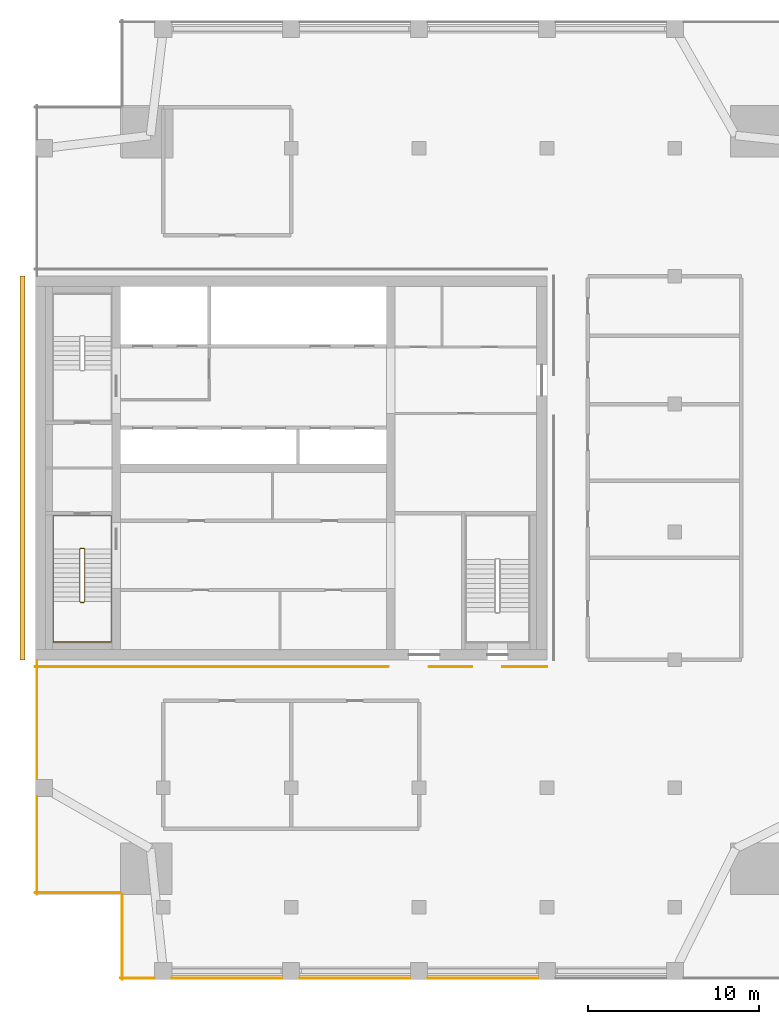
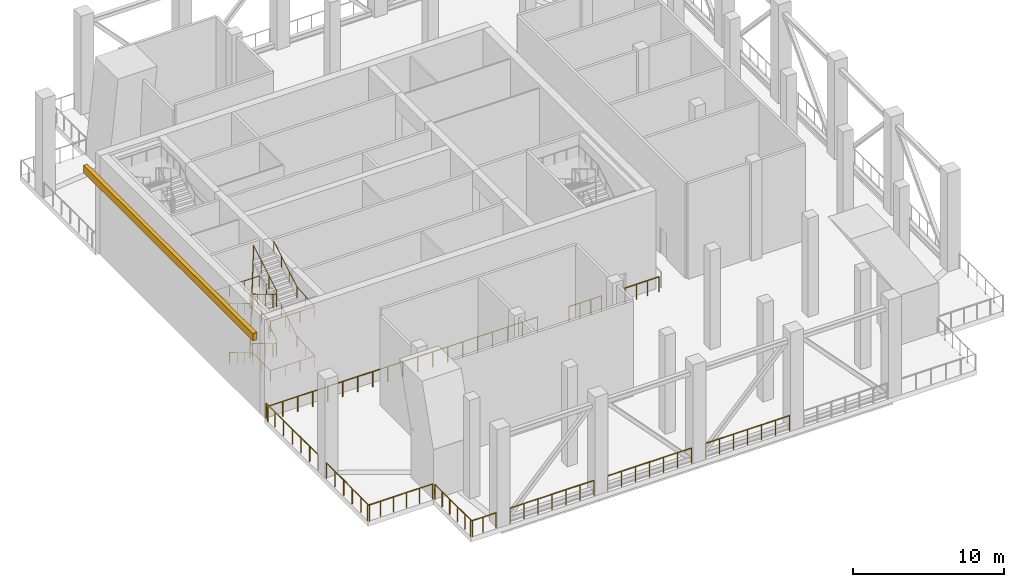
# One storey, part 8 of 11: 13 railings, 1 covering.
"""IFC4 building model written with IfcOpenShell, lengths in metres."""

from ifc_helpers import new_model, si_unit, direction, frame, origin, origin_2d, place, context, subcontext, project, spatial, polyline, circle, outline, extrude, material, layer, layer_set, type_object, element, save


model = new_model("IFC4")

# Units and contexts
model_context = context("Model", 3, precision=1e-05, world=origin(), true_north=direction((0.0, 1.0)))
body_context = subcontext(model_context, "Body", "Model", "MODEL_VIEW")
ifc_project = project(units=[si_unit("LENGTHUNIT", "METRE"), si_unit("AREAUNIT", "SQUARE_METRE"), si_unit("VOLUMEUNIT", "CUBIC_METRE"), si_unit("PLANEANGLEUNIT", "RADIAN"), si_unit("MASSUNIT", "GRAM", prefix="KILO")], contexts=[model_context])

# Site, building, storey
site_placement = place(None, origin())
site = spatial("IfcSite", under=ifc_project, at=site_placement, CompositionType="ELEMENT")
building_placement = place(site_placement, origin())
building = spatial("IfcBuilding", under=site, at=building_placement, Name="Tamorin Gate", CompositionType="ELEMENT")
storey_placement = place(building_placement, frame((0.0, 0.0, 258.199951171875)))
storey = spatial("IfcBuildingStorey", under=building, at=storey_placement, Name="L65", CompositionType="ELEMENT", Elevation=258.199951171875)

# Covering
ifc_material_1 = material(Name="Precast concrete C40/50", Category="concrete")
ifc_layer = layer(ifc_material_1, 0.300048828125)
ifc_layer_set = layer_set([ifc_layer], Name="Spine cornice 300")
covering_type = type_object("IfcCoveringType", Name="Spine cornice 300", PredefinedType="CLADDING", material=ifc_layer_set)
covering_placement = place(storey_placement, frame((0.0, 0.0, 6.60009765625)))
element("IfcCovering", 1, at=covering_placement, inside=storey, type_object=covering_type, Name="Spine cornice", PredefinedType="CLADDING", context=body_context, shape_type="SweptSolid", body=[
    extrude(outline(polyline([(29.10009765625, 60.0), (29.39990234375, 60.0), (29.39990234375, 82.5), (29.10009765625, 82.5), (29.10009765625, 60.0)])), origin(), (0.0, 0.0, 1.0), 0.599853515625),
])

# Railings
ifc_material_2 = material(Name="Painted steel balustrade", Category="steel")
railing_type_1 = type_object("IfcRailingType", Name="Stair guard 1100", PredefinedType="GUARDRAIL", material=ifc_material_2)
railing_1_placement = place(storey_placement, frame((32.60009765625, 66.5, 0.166748046875)))
element("IfcRailing", 2, at=railing_1_placement, inside=storey, type_object=railing_type_1, Name="L65 ST1 stair guard 1", PredefinedType="GUARDRAIL", context=body_context, shape_type="SweptSolid", body=[
    extrude(circle(Radius=0.02392578125, at=origin_2d()), frame((0.0, 0.0, 1.076171875), z_axis=(0.0, -0.859308565015, 0.511457515432), x_axis=(1.0, 0.0, 0.0)), (0.0, 0.0, 1.0), 3.58447265625),
    extrude(circle(Radius=0.02392578125, at=origin_2d()), frame((0.0, -3.080078125, 2.9091796875), z_axis=(0.707106781187, -0.707106781187, 0.0), x_axis=(0.707106781187, 0.707106781187, 0.0)), (0.0, 0.0, 1.0), 0.0703125),
    extrude(circle(Radius=0.02392578125, at=origin_2d()), frame((0.0498046875, -3.1298828125, 2.9091796875), z_axis=(1.0, 0.0, 0.0), x_axis=(0.0, 1.0, 0.0)), (0.0, 0.0, 1.0), 0.2001953125),
    extrude(circle(Radius=0.02392578125, at=origin_2d()), frame((0.25, -3.1298828125, 2.9091796875), z_axis=(0.275143339093, 0.275143339093, 0.92119068922), x_axis=(-0.707106781187, 0.707106781187, 0.0)), (0.0, 0.0, 1.0), 0.180908203125),
    extrude(circle(Radius=0.02392578125, at=origin_2d()), frame((0.2998046875, -3.080078125, 3.076171875), z_axis=(0.0, 0.859308565015, 0.511457515432), x_axis=(-1.0, 0.0, 0.0)), (0.0, 0.0, 1.0), 3.58447265625),
    extrude(circle(Radius=0.02392578125, at=origin_2d()), frame((0.2998046875, 0.0, 4.9091796875), z_axis=(-0.98054382908, 0.196300278283, 0.0), x_axis=(-0.196300278283, -0.98054382908, 0.0)), (0.0, 0.0, 1.0), 0.2548828125),
    extrude(circle(Radius=0.02392578125, at=origin_2d()), frame((0.0498046875, 0.050048828125, 4.9091796875), z_axis=(1.0, 0.0, 0.0), x_axis=(0.0, 1.0, 0.0)), (0.0, 0.0, 1.0), 0.2001953125),
    extrude(circle(Radius=0.02392578125, at=origin_2d()), frame((0.25, 0.050048828125, 4.9091796875), z_axis=(-0.820621892478, -0.164284656209, 0.547348391174), x_axis=(0.196300278283, -0.98054382908, 0.0)), (0.0, 0.0, 1.0), 0.3046875),
    extrude(circle(Radius=0.02392578125, at=origin_2d()), frame((0.0, 0.0, 5.076171875), z_axis=(0.0, -0.859308565015, 0.511457515432), x_axis=(1.0, 0.0, 0.0)), (0.0, 0.0, 1.0), 3.58447265625),
    extrude(circle(Radius=0.02392578125, at=origin_2d()), frame((0.0, -3.080078125, 6.9091796875), z_axis=(0.707106781187, -0.707106781187, 0.0), x_axis=(0.707106781187, 0.707106781187, 0.0)), (0.0, 0.0, 1.0), 0.0703125),
    extrude(circle(Radius=0.02392578125, at=origin_2d()), frame((0.0498046875, -3.1298828125, 6.9091796875), z_axis=(1.0, 0.0, 0.0), x_axis=(0.0, 1.0, 0.0)), (0.0, 0.0, 1.0), 0.2001953125),
    extrude(circle(Radius=0.02392578125, at=origin_2d()), frame((0.25, -3.1298828125, 6.9091796875), z_axis=(0.275143339093, 0.275143339093, 0.92119068922), x_axis=(-0.707106781187, 0.707106781187, 0.0)), (0.0, 0.0, 1.0), 0.180908203125),
    extrude(circle(Radius=0.02392578125, at=origin_2d()), frame((0.2998046875, -3.080078125, 7.076171875), z_axis=(0.0, 0.859308565015, 0.511457515432), x_axis=(-1.0, 0.0, 0.0)), (0.0, 0.0, 1.0), 3.58447265625),
    extrude(circle(Radius=0.02392578125, at=origin_2d()), frame((0.2998046875, 0.0, 8.9091796875), z_axis=(-0.031234141746, 0.006252928768, -0.999492535876), x_axis=(-0.196300278283, -0.98054382908, 0.0)), (0.0, 0.0, 1.0), 8.004150390625),
    extrude(circle(Radius=0.02392578125, at=origin_2d()), frame((0.0498046875, 0.050048828125, 0.9091796875), z_axis=(1.0, 0.0, 0.0), x_axis=(0.0, 1.0, 0.0)), (0.0, 0.0, 1.0), 0.2001953125),
    extrude(circle(Radius=0.02099609375, at=origin_2d()), origin(), (0.0, 0.0, 1.0), 1.052001953125),
    extrude(circle(Radius=0.02099609375, at=origin_2d()), frame((0.0, -1.026611328125, 0.611083984375)), (0.0, 0.0, 1.0), 1.052001953125),
    extrude(circle(Radius=0.02099609375, at=origin_2d()), frame((0.0, -2.053466796875, 1.22216796875)), (0.0, 0.0, 1.0), 1.052001953125),
    extrude(circle(Radius=0.02099609375, at=origin_2d()), frame((0.0, -3.080078125, 1.833251953125)), (0.0, 0.0, 1.0), 1.052001953125),
    extrude(circle(Radius=0.02099609375, at=origin_2d()), frame((0.0498046875, -3.1298828125, 1.833251953125)), (0.0, 0.0, 1.0), 1.052001953125),
    extrude(circle(Radius=0.02099609375, at=origin_2d()), frame((0.25, -3.1298828125, 1.833251953125)), (0.0, 0.0, 1.0), 1.052001953125),
    extrude(circle(Radius=0.02099609375, at=origin_2d()), frame((0.2998046875, -3.080078125, 2.0)), (0.0, 0.0, 1.0), 1.052001953125),
    extrude(circle(Radius=0.02099609375, at=origin_2d()), frame((0.2998046875, -2.053466796875, 2.611083984375)), (0.0, 0.0, 1.0), 1.052001953125),
    extrude(circle(Radius=0.02099609375, at=origin_2d()), frame((0.2998046875, -1.026611328125, 3.22216796875)), (0.0, 0.0, 1.0), 1.052001953125),
    extrude(circle(Radius=0.02099609375, at=origin_2d()), frame((0.2998046875, 0.0, 3.833251953125)), (0.0, 0.0, 1.0), 1.052001953125),
    extrude(circle(Radius=0.02099609375, at=origin_2d()), frame((0.0498046875, 0.050048828125, 3.833251953125)), (0.0, 0.0, 1.0), 1.052001953125),
    extrude(circle(Radius=0.02099609375, at=origin_2d()), frame((0.25, 0.050048828125, 3.833251953125)), (0.0, 0.0, 1.0), 1.052001953125),
    extrude(circle(Radius=0.02099609375, at=origin_2d()), frame((0.0, 0.0, 4.0)), (0.0, 0.0, 1.0), 1.052001953125),
    extrude(circle(Radius=0.02099609375, at=origin_2d()), frame((0.0, -1.026611328125, 4.611083984375)), (0.0, 0.0, 1.0), 1.052001953125),
    extrude(circle(Radius=0.02099609375, at=origin_2d()), frame((0.0, -2.053466796875, 5.22216796875)), (0.0, 0.0, 1.0), 1.052001953125),
    extrude(circle(Radius=0.02099609375, at=origin_2d()), frame((0.0, -3.080078125, 5.833251953125)), (0.0, 0.0, 1.0), 1.052001953125),
    extrude(circle(Radius=0.02099609375, at=origin_2d()), frame((0.0498046875, -3.1298828125, 5.833251953125)), (0.0, 0.0, 1.0), 1.052001953125),
    extrude(circle(Radius=0.02099609375, at=origin_2d()), frame((0.25, -3.1298828125, 5.833251953125)), (0.0, 0.0, 1.0), 1.052001953125),
    extrude(circle(Radius=0.02099609375, at=origin_2d()), frame((0.2998046875, -3.080078125, 6.0)), (0.0, 0.0, 1.0), 1.052001953125),
    extrude(circle(Radius=0.02099609375, at=origin_2d()), frame((0.2998046875, -2.053466796875, 6.611083984375)), (0.0, 0.0, 1.0), 1.052001953125),
    extrude(circle(Radius=0.02099609375, at=origin_2d()), frame((0.2998046875, -1.026611328125, 7.22216796875)), (0.0, 0.0, 1.0), 1.052001953125),
    extrude(circle(Radius=0.02099609375, at=origin_2d()), frame((0.2998046875, 0.0, 7.833251953125)), (0.0, 0.0, 1.0), 1.052001953125),
    extrude(circle(Radius=0.02099609375, at=origin_2d()), frame((0.26416015625, 0.007080078125, 6.6904296875)), (0.0, 0.0, 1.0), 1.052001953125),
    extrude(circle(Radius=0.02099609375, at=origin_2d()), frame((0.228271484375, 0.014404296875, 5.547607421875)), (0.0, 0.0, 1.0), 1.052001953125),
    extrude(circle(Radius=0.02099609375, at=origin_2d()), frame((0.192626953125, 0.021484375, 4.40478515625)), (0.0, 0.0, 1.0), 1.052001953125),
    extrude(circle(Radius=0.02099609375, at=origin_2d()), frame((0.156982421875, 0.028564453125, 3.26171875)), (0.0, 0.0, 1.0), 1.052001953125),
    extrude(circle(Radius=0.02099609375, at=origin_2d()), frame((0.121337890625, 0.03564453125, 2.118896484375)), (0.0, 0.0, 1.0), 1.052001953125),
    extrude(circle(Radius=0.02099609375, at=origin_2d()), frame((0.08544921875, 0.04296875, 0.97607421875)), (0.0, 0.0, 1.0), 1.052001953125),
    extrude(circle(Radius=0.02099609375, at=origin_2d()), frame((0.0498046875, 0.050048828125, -0.166748046875)), (0.0, 0.0, 1.0), 1.052001953125),
    extrude(circle(Radius=0.02099609375, at=origin_2d()), frame((0.25, 0.050048828125, -0.166748046875)), (0.0, 0.0, 1.0), 1.052001953125),
])
ifc_material_3 = material(Name="Painted steel handrail", Category="steel")
railing_type_2 = type_object("IfcRailingType", Name="Stair handrail 900", PredefinedType="HANDRAIL", material=ifc_material_3)
railing_2_placement = place(storey_placement, frame((31.050048828125, 66.5, 0.166748046875)))
element("IfcRailing", 3, at=railing_2_placement, inside=storey, type_object=railing_type_2, Name="L65 ST1 stair handrail 1", PredefinedType="HANDRAIL", context=body_context, shape_type="SweptSolid", body=[
    extrude(circle(Radius=0.02392578125, at=origin_2d()), frame((0.0, 0.0, 0.8759765625), z_axis=(0.0, -0.859308565015, 0.511457515432), x_axis=(1.0, 0.0, 0.0)), (0.0, 0.0, 1.0), 3.58447265625),
    extrude(circle(Radius=0.02392578125, at=origin_2d()), frame((0.0, -3.080078125, 2.708984375), z_axis=(0.0, -1.0, 0.0), x_axis=(1.0, 0.0, 0.0)), (0.0, 0.0, 1.0), 2.369873046875),
    extrude(circle(Radius=0.02392578125, at=origin_2d()), frame((0.0, -5.449951171875, 2.708984375), z_axis=(1.0, 0.0, 0.0), x_axis=(0.0, 1.0, 0.0)), (0.0, 0.0, 1.0), 3.39990234375),
    extrude(circle(Radius=0.02392578125, at=origin_2d()), frame((3.39990234375, -5.449951171875, 2.708984375), z_axis=(0.0, 0.997533776475, 0.070188067305), x_axis=(-1.0, 0.0, 0.0)), (0.0, 0.0, 1.0), 2.375732421875),
    extrude(circle(Radius=0.02392578125, at=origin_2d()), frame((3.39990234375, -3.080078125, 2.8759765625), z_axis=(0.0, 0.859308565015, 0.511457515432), x_axis=(-1.0, 0.0, 0.0)), (0.0, 0.0, 1.0), 3.58447265625),
    extrude(circle(Radius=0.02392578125, at=origin_2d()), frame((3.39990234375, 0.0, 4.708984375), z_axis=(0.0, 1.0, 0.0), x_axis=(-1.0, 0.0, 0.0)), (0.0, 0.0, 1.0), 1.949951171875),
    extrude(circle(Radius=0.02392578125, at=origin_2d()), frame((3.39990234375, 1.949951171875, 4.708984375), z_axis=(-1.0, 0.0, 0.0), x_axis=(0.0, -1.0, 0.0)), (0.0, 0.0, 1.0), 3.39990234375),
    extrude(circle(Radius=0.02392578125, at=origin_2d()), frame((0.0, 1.949951171875, 4.708984375), z_axis=(0.0, -0.996363612883, 0.085202998322), x_axis=(1.0, 0.0, 0.0)), (0.0, 0.0, 1.0), 1.95703125),
    extrude(circle(Radius=0.02392578125, at=origin_2d()), frame((0.0, 0.0, 4.8759765625), z_axis=(0.0, -0.859308565015, 0.511457515432), x_axis=(1.0, 0.0, 0.0)), (0.0, 0.0, 1.0), 3.58447265625),
    extrude(circle(Radius=0.02392578125, at=origin_2d()), frame((0.0, -3.080078125, 6.708984375), z_axis=(0.0, -1.0, 0.0), x_axis=(1.0, 0.0, 0.0)), (0.0, 0.0, 1.0), 2.369873046875),
    extrude(circle(Radius=0.02392578125, at=origin_2d()), frame((0.0, -5.449951171875, 6.708984375), z_axis=(1.0, 0.0, 0.0), x_axis=(0.0, 1.0, 0.0)), (0.0, 0.0, 1.0), 3.39990234375),
    extrude(circle(Radius=0.02392578125, at=origin_2d()), frame((3.39990234375, -5.449951171875, 6.708984375), z_axis=(0.0, 0.997533776475, 0.070188067305), x_axis=(-1.0, 0.0, 0.0)), (0.0, 0.0, 1.0), 2.375732421875),
    extrude(circle(Radius=0.02392578125, at=origin_2d()), frame((3.39990234375, -3.080078125, 6.8759765625), z_axis=(0.0, 0.859308565015, 0.511457515432), x_axis=(-1.0, 0.0, 0.0)), (0.0, 0.0, 1.0), 3.58447265625),
    extrude(circle(Radius=0.02099609375, at=origin_2d()), origin(), (0.0, 0.0, 1.0), 0.851806640625),
    extrude(circle(Radius=0.02099609375, at=origin_2d()), frame((0.0, -1.026611328125, 0.611083984375)), (0.0, 0.0, 1.0), 0.851806640625),
    extrude(circle(Radius=0.02099609375, at=origin_2d()), frame((0.0, -2.053466796875, 1.22216796875)), (0.0, 0.0, 1.0), 0.851806640625),
    extrude(circle(Radius=0.02099609375, at=origin_2d()), frame((0.0, -3.080078125, 1.833251953125)), (0.0, 0.0, 1.0), 0.851806640625),
    extrude(circle(Radius=0.02099609375, at=origin_2d()), frame((0.0, -4.26513671875, 1.833251953125)), (0.0, 0.0, 1.0), 0.851806640625),
    extrude(circle(Radius=0.02099609375, at=origin_2d()), frame((0.0, -5.449951171875, 1.833251953125)), (0.0, 0.0, 1.0), 0.851806640625),
    extrude(circle(Radius=0.02099609375, at=origin_2d()), frame((1.13330078125, -5.449951171875, 1.833251953125)), (0.0, 0.0, 1.0), 0.851806640625),
    extrude(circle(Radius=0.02099609375, at=origin_2d()), frame((2.2666015625, -5.449951171875, 1.833251953125)), (0.0, 0.0, 1.0), 0.851806640625),
    extrude(circle(Radius=0.02099609375, at=origin_2d()), frame((3.39990234375, -5.449951171875, 1.833251953125)), (0.0, 0.0, 1.0), 0.851806640625),
    extrude(circle(Radius=0.02099609375, at=origin_2d()), frame((3.39990234375, -4.26513671875, 1.91650390625)), (0.0, 0.0, 1.0), 0.851806640625),
    extrude(circle(Radius=0.02099609375, at=origin_2d()), frame((3.39990234375, -3.080078125, 2.0)), (0.0, 0.0, 1.0), 0.851806640625),
    extrude(circle(Radius=0.02099609375, at=origin_2d()), frame((3.39990234375, -2.053466796875, 2.611083984375)), (0.0, 0.0, 1.0), 0.851806640625),
    extrude(circle(Radius=0.02099609375, at=origin_2d()), frame((3.39990234375, -1.026611328125, 3.22216796875)), (0.0, 0.0, 1.0), 0.851806640625),
    extrude(circle(Radius=0.02099609375, at=origin_2d()), frame((3.39990234375, 0.0, 3.833251953125)), (0.0, 0.0, 1.0), 0.851806640625),
    extrude(circle(Radius=0.02099609375, at=origin_2d()), frame((3.39990234375, 0.97509765625, 3.833251953125)), (0.0, 0.0, 1.0), 0.851806640625),
    extrude(circle(Radius=0.02099609375, at=origin_2d()), frame((3.39990234375, 1.949951171875, 3.833251953125)), (0.0, 0.0, 1.0), 0.851806640625),
    extrude(circle(Radius=0.02099609375, at=origin_2d()), frame((2.2666015625, 1.949951171875, 3.833251953125)), (0.0, 0.0, 1.0), 0.851806640625),
    extrude(circle(Radius=0.02099609375, at=origin_2d()), frame((1.13330078125, 1.949951171875, 3.833251953125)), (0.0, 0.0, 1.0), 0.851806640625),
    extrude(circle(Radius=0.02099609375, at=origin_2d()), frame((0.0, 1.949951171875, 3.833251953125)), (0.0, 0.0, 1.0), 0.851806640625),
    extrude(circle(Radius=0.02099609375, at=origin_2d()), frame((0.0, 0.97509765625, 3.91650390625)), (0.0, 0.0, 1.0), 0.851806640625),
    extrude(circle(Radius=0.02099609375, at=origin_2d()), frame((0.0, 0.0, 4.0)), (0.0, 0.0, 1.0), 0.851806640625),
    extrude(circle(Radius=0.02099609375, at=origin_2d()), frame((0.0, -1.026611328125, 4.611083984375)), (0.0, 0.0, 1.0), 0.851806640625),
    extrude(circle(Radius=0.02099609375, at=origin_2d()), frame((0.0, -2.053466796875, 5.22216796875)), (0.0, 0.0, 1.0), 0.851806640625),
    extrude(circle(Radius=0.02099609375, at=origin_2d()), frame((0.0, -3.080078125, 5.833251953125)), (0.0, 0.0, 1.0), 0.851806640625),
    extrude(circle(Radius=0.02099609375, at=origin_2d()), frame((0.0, -4.26513671875, 5.833251953125)), (0.0, 0.0, 1.0), 0.851806640625),
    extrude(circle(Radius=0.02099609375, at=origin_2d()), frame((0.0, -5.449951171875, 5.833251953125)), (0.0, 0.0, 1.0), 0.851806640625),
    extrude(circle(Radius=0.02099609375, at=origin_2d()), frame((1.13330078125, -5.449951171875, 5.833251953125)), (0.0, 0.0, 1.0), 0.851806640625),
    extrude(circle(Radius=0.02099609375, at=origin_2d()), frame((2.2666015625, -5.449951171875, 5.833251953125)), (0.0, 0.0, 1.0), 0.851806640625),
    extrude(circle(Radius=0.02099609375, at=origin_2d()), frame((3.39990234375, -5.449951171875, 5.833251953125)), (0.0, 0.0, 1.0), 0.851806640625),
    extrude(circle(Radius=0.02099609375, at=origin_2d()), frame((3.39990234375, -4.26513671875, 5.91650390625)), (0.0, 0.0, 1.0), 0.851806640625),
    extrude(circle(Radius=0.02099609375, at=origin_2d()), frame((3.39990234375, -3.080078125, 6.0)), (0.0, 0.0, 1.0), 0.851806640625),
    extrude(circle(Radius=0.02099609375, at=origin_2d()), frame((3.39990234375, -2.053466796875, 6.611083984375)), (0.0, 0.0, 1.0), 0.851806640625),
    extrude(circle(Radius=0.02099609375, at=origin_2d()), frame((3.39990234375, -1.026611328125, 7.22216796875)), (0.0, 0.0, 1.0), 0.851806640625),
    extrude(circle(Radius=0.02099609375, at=origin_2d()), frame((3.39990234375, 0.0, 7.833251953125)), (0.0, 0.0, 1.0), 0.851806640625),
])
ifc_material_4 = material(Name="Stainless steel", Category="steel")
railing_type_3 = type_object("IfcRailingType", Name="Wind floor guard 1250", PredefinedType="GUARDRAIL", material=ifc_material_4)
railing_3_placement = place(storey_placement, frame((35.0, 41.35009765625, 0.0)))
element("IfcRailing", 4, at=railing_3_placement, inside=storey, type_object=railing_type_3, Name="Open edge guard", PredefinedType="GUARDRAIL", context=body_context, shape_type="SweptSolid", body=[
    extrude(circle(Radius=0.02392578125, at=origin_2d()), frame((0.0, 0.0, 1.22607421875), z_axis=(1.0, 0.0, 0.0), x_axis=(0.0, 1.0, 0.0)), (0.0, 0.0, 1.0), 1.969970703125),
    extrude(circle(Radius=0.02099609375, at=origin_2d()), origin(), (0.0, 0.0, 1.0), 1.201904296875),
    extrude(circle(Radius=0.02099609375, at=origin_2d()), frame((0.98486328125, 0.0, 0.0)), (0.0, 0.0, 1.0), 1.201904296875),
    extrude(circle(Radius=0.02099609375, at=origin_2d()), frame((1.969970703125, 0.0, 0.0)), (0.0, 0.0, 1.0), 1.201904296875),
])
for number, where, name in (
    (5, (38.030029296875, 41.35009765625, 0.0), "Open edge guard"),
    (6, (45.530029296875, 41.35009765625, 0.0), "Open edge guard"),
    (7, (53.030029296875, 41.35009765625, 0.0), "Open edge guard"),
):
    element("IfcRailing", number, at=place(storey_placement, frame(where)), inside=storey, type_object=railing_type_3, Name=name, PredefinedType="GUARDRAIL", context=body_context, shape_type="SweptSolid", body=[
        extrude(circle(Radius=0.02392578125, at=origin_2d()), frame((0.0, 0.0, 1.22607421875), z_axis=(1.0, 0.0, 0.0), x_axis=(0.0, 1.0, 0.0)), (0.0, 0.0, 1.0), 6.43994140625),
        extrude(circle(Radius=0.02099609375, at=origin_2d()), origin(), (0.0, 0.0, 1.0), 1.201904296875),
        extrude(circle(Radius=0.02099609375, at=origin_2d()), frame((1.0732421875, 0.0, 0.0)), (0.0, 0.0, 1.0), 1.201904296875),
        extrude(circle(Radius=0.02099609375, at=origin_2d()), frame((2.146728515625, 0.0, 0.0)), (0.0, 0.0, 1.0), 1.201904296875),
        extrude(circle(Radius=0.02099609375, at=origin_2d()), frame((3.219970703125, 0.0, 0.0)), (0.0, 0.0, 1.0), 1.201904296875),
        extrude(circle(Radius=0.02099609375, at=origin_2d()), frame((4.293212890625, 0.0, 0.0)), (0.0, 0.0, 1.0), 1.201904296875),
        extrude(circle(Radius=0.02099609375, at=origin_2d()), frame((5.36669921875, 0.0, 0.0)), (0.0, 0.0, 1.0), 1.201904296875),
        extrude(circle(Radius=0.02099609375, at=origin_2d()), frame((6.43994140625, 0.0, 0.0)), (0.0, 0.0, 1.0), 1.201904296875),
    ])
railing_4_placement = place(storey_placement, frame((30.10009765625, 59.969970703125, 0.0)))
element("IfcRailing", 8, at=railing_4_placement, inside=storey, type_object=railing_type_3, Name="Open edge guard", PredefinedType="GUARDRAIL", context=body_context, shape_type="SweptSolid", body=[
    extrude(circle(Radius=0.02392578125, at=origin_2d()), frame((0.0, 0.0, 1.22607421875), z_axis=(0.0, -1.0, 0.0), x_axis=(1.0, 0.0, 0.0)), (0.0, 0.0, 1.0), 6.93994140625),
    extrude(circle(Radius=0.02099609375, at=origin_2d()), origin(), (0.0, 0.0, 1.0), 1.201904296875),
    extrude(circle(Radius=0.02099609375, at=origin_2d()), frame((0.0, -1.15673828125, 0.0)), (0.0, 0.0, 1.0), 1.201904296875),
    extrude(circle(Radius=0.02099609375, at=origin_2d()), frame((0.0, -2.313232421875, 0.0)), (0.0, 0.0, 1.0), 1.201904296875),
    extrude(circle(Radius=0.02099609375, at=origin_2d()), frame((0.0, -3.469970703125, 0.0)), (0.0, 0.0, 1.0), 1.201904296875),
    extrude(circle(Radius=0.02099609375, at=origin_2d()), frame((0.0, -4.626708984375, 0.0)), (0.0, 0.0, 1.0), 1.201904296875),
    extrude(circle(Radius=0.02099609375, at=origin_2d()), frame((0.0, -5.783203125, 0.0)), (0.0, 0.0, 1.0), 1.201904296875),
    extrude(circle(Radius=0.02099609375, at=origin_2d()), frame((0.0, -6.93994140625, 0.0)), (0.0, 0.0, 1.0), 1.201904296875),
])
railing_5_placement = place(storey_placement, frame((30.10009765625, 51.969970703125, 0.0)))
element("IfcRailing", 9, at=railing_5_placement, inside=storey, type_object=railing_type_3, Name="Open edge guard", PredefinedType="GUARDRAIL", context=body_context, shape_type="SweptSolid", body=[
    extrude(circle(Radius=0.02392578125, at=origin_2d()), frame((0.0, 0.0, 1.22607421875), z_axis=(0.0, -1.0, 0.0), x_axis=(1.0, 0.0, 0.0)), (0.0, 0.0, 1.0), 5.719970703125),
    extrude(circle(Radius=0.02099609375, at=origin_2d()), origin(), (0.0, 0.0, 1.0), 1.201904296875),
    extrude(circle(Radius=0.02099609375, at=origin_2d()), frame((0.0, -1.14404296875, 0.0)), (0.0, 0.0, 1.0), 1.201904296875),
    extrude(circle(Radius=0.02099609375, at=origin_2d()), frame((0.0, -2.2880859375, 0.0)), (0.0, 0.0, 1.0), 1.201904296875),
    extrude(circle(Radius=0.02099609375, at=origin_2d()), frame((0.0, -3.431884765625, 0.0)), (0.0, 0.0, 1.0), 1.201904296875),
    extrude(circle(Radius=0.02099609375, at=origin_2d()), frame((0.0, -4.575927734375, 0.0)), (0.0, 0.0, 1.0), 1.201904296875),
    extrude(circle(Radius=0.02099609375, at=origin_2d()), frame((0.0, -5.719970703125, 0.0)), (0.0, 0.0, 1.0), 1.201904296875),
])
railing_6_placement = place(storey_placement, frame((30.0, 46.35009765625, 0.0)))
element("IfcRailing", 10, at=railing_6_placement, inside=storey, type_object=railing_type_3, Name="Open edge guard", PredefinedType="GUARDRAIL", context=body_context, shape_type="SweptSolid", body=[
    extrude(circle(Radius=0.02392578125, at=origin_2d()), frame((0.0, 0.0, 1.22607421875), z_axis=(1.0, 0.0, 0.0), x_axis=(0.0, 1.0, 0.0)), (0.0, 0.0, 1.0), 5.0),
    extrude(circle(Radius=0.02099609375, at=origin_2d()), origin(), (0.0, 0.0, 1.0), 1.201904296875),
    extrude(circle(Radius=0.02099609375, at=origin_2d()), frame((1.0, 0.0, 0.0)), (0.0, 0.0, 1.0), 1.201904296875),
    extrude(circle(Radius=0.02099609375, at=origin_2d()), frame((2.0, 0.0, 0.0)), (0.0, 0.0, 1.0), 1.201904296875),
    extrude(circle(Radius=0.02099609375, at=origin_2d()), frame((3.0, 0.0, 0.0)), (0.0, 0.0, 1.0), 1.201904296875),
    extrude(circle(Radius=0.02099609375, at=origin_2d()), frame((4.0, 0.0, 0.0)), (0.0, 0.0, 1.0), 1.201904296875),
    extrude(circle(Radius=0.02099609375, at=origin_2d()), frame((5.0, 0.0, 0.0)), (0.0, 0.0, 1.0), 1.201904296875),
])
railing_7_placement = place(storey_placement, frame((35.10009765625, 46.25, 0.0)))
element("IfcRailing", 11, at=railing_7_placement, inside=storey, type_object=railing_type_3, Name="Open edge guard", PredefinedType="GUARDRAIL", context=body_context, shape_type="SweptSolid", body=[
    extrude(circle(Radius=0.02392578125, at=origin_2d()), frame((0.0, 0.0, 1.22607421875), z_axis=(0.0, -1.0, 0.0), x_axis=(1.0, 0.0, 0.0)), (0.0, 0.0, 1.0), 5.0),
    extrude(circle(Radius=0.02099609375, at=origin_2d()), origin(), (0.0, 0.0, 1.0), 1.201904296875),
    extrude(circle(Radius=0.02099609375, at=origin_2d()), frame((0.0, -1.0, 0.0)), (0.0, 0.0, 1.0), 1.201904296875),
    extrude(circle(Radius=0.02099609375, at=origin_2d()), frame((0.0, -2.0, 0.0)), (0.0, 0.0, 1.0), 1.201904296875),
    extrude(circle(Radius=0.02099609375, at=origin_2d()), frame((0.0, -3.0, 0.0)), (0.0, 0.0, 1.0), 1.201904296875),
    extrude(circle(Radius=0.02099609375, at=origin_2d()), frame((0.0, -4.0, 0.0)), (0.0, 0.0, 1.0), 1.201904296875),
    extrude(circle(Radius=0.02099609375, at=origin_2d()), frame((0.0, -5.0, 0.0)), (0.0, 0.0, 1.0), 1.201904296875),
])
railing_8_placement = place(storey_placement, frame((30.0, 59.60009765625, 0.0)))
element("IfcRailing", 12, at=railing_8_placement, inside=storey, type_object=railing_type_3, Name="Open edge guard core", PredefinedType="GUARDRAIL", context=body_context, shape_type="SweptSolid", body=[
    extrude(circle(Radius=0.02392578125, at=origin_2d()), frame((0.0, 0.0, 1.22607421875), z_axis=(1.0, 0.0, 0.0), x_axis=(0.0, 1.0, 0.0)), (0.0, 0.0, 1.0), 20.699951171875),
    extrude(circle(Radius=0.02099609375, at=origin_2d()), origin(), (0.0, 0.0, 1.0), 1.201904296875),
    extrude(circle(Radius=0.02099609375, at=origin_2d()), frame((1.14990234375, 0.0, 0.0)), (0.0, 0.0, 1.0), 1.201904296875),
    extrude(circle(Radius=0.02099609375, at=origin_2d()), frame((2.300048828125, 0.0, 0.0)), (0.0, 0.0, 1.0), 1.201904296875),
    extrude(circle(Radius=0.02099609375, at=origin_2d()), frame((3.449951171875, 0.0, 0.0)), (0.0, 0.0, 1.0), 1.201904296875),
    extrude(circle(Radius=0.02099609375, at=origin_2d()), frame((4.60009765625, 0.0, 0.0)), (0.0, 0.0, 1.0), 1.201904296875),
    extrude(circle(Radius=0.02099609375, at=origin_2d()), frame((5.75, 0.0, 0.0)), (0.0, 0.0, 1.0), 1.201904296875),
    extrude(circle(Radius=0.02099609375, at=origin_2d()), frame((6.89990234375, 0.0, 0.0)), (0.0, 0.0, 1.0), 1.201904296875),
    extrude(circle(Radius=0.02099609375, at=origin_2d()), frame((8.050048828125, 0.0, 0.0)), (0.0, 0.0, 1.0), 1.201904296875),
    extrude(circle(Radius=0.02099609375, at=origin_2d()), frame((9.199951171875, 0.0, 0.0)), (0.0, 0.0, 1.0), 1.201904296875),
    extrude(circle(Radius=0.02099609375, at=origin_2d()), frame((10.35009765625, 0.0, 0.0)), (0.0, 0.0, 1.0), 1.201904296875),
    extrude(circle(Radius=0.02099609375, at=origin_2d()), frame((11.5, 0.0, 0.0)), (0.0, 0.0, 1.0), 1.201904296875),
    extrude(circle(Radius=0.02099609375, at=origin_2d()), frame((12.64990234375, 0.0, 0.0)), (0.0, 0.0, 1.0), 1.201904296875),
    extrude(circle(Radius=0.02099609375, at=origin_2d()), frame((13.800048828125, 0.0, 0.0)), (0.0, 0.0, 1.0), 1.201904296875),
    extrude(circle(Radius=0.02099609375, at=origin_2d()), frame((14.949951171875, 0.0, 0.0)), (0.0, 0.0, 1.0), 1.201904296875),
    extrude(circle(Radius=0.02099609375, at=origin_2d()), frame((16.099853515625, 0.0, 0.0)), (0.0, 0.0, 1.0), 1.201904296875),
    extrude(circle(Radius=0.02099609375, at=origin_2d()), frame((17.25, 0.0, 0.0)), (0.0, 0.0, 1.0), 1.201904296875),
    extrude(circle(Radius=0.02099609375, at=origin_2d()), frame((18.39990234375, 0.0, 0.0)), (0.0, 0.0, 1.0), 1.201904296875),
    extrude(circle(Radius=0.02099609375, at=origin_2d()), frame((19.550048828125, 0.0, 0.0)), (0.0, 0.0, 1.0), 1.201904296875),
    extrude(circle(Radius=0.02099609375, at=origin_2d()), frame((20.699951171875, 0.0, 0.0)), (0.0, 0.0, 1.0), 1.201904296875),
])
railing_9_placement = place(storey_placement, frame((53.10009765625, 59.60009765625, 0.0)))
element("IfcRailing", 13, at=railing_9_placement, inside=storey, type_object=railing_type_3, Name="Open edge guard core", PredefinedType="GUARDRAIL", context=body_context, shape_type="SweptSolid", body=[
    extrude(circle(Radius=0.02392578125, at=origin_2d()), frame((0.0, 0.0, 1.22607421875), z_axis=(1.0, 0.0, 0.0), x_axis=(0.0, 1.0, 0.0)), (0.0, 0.0, 1.0), 2.5),
    extrude(circle(Radius=0.02099609375, at=origin_2d()), origin(), (0.0, 0.0, 1.0), 1.201904296875),
    extrude(circle(Radius=0.02099609375, at=origin_2d()), frame((0.833251953125, 0.0, 0.0)), (0.0, 0.0, 1.0), 1.201904296875),
    extrude(circle(Radius=0.02099609375, at=origin_2d()), frame((1.666748046875, 0.0, 0.0)), (0.0, 0.0, 1.0), 1.201904296875),
    extrude(circle(Radius=0.02099609375, at=origin_2d()), frame((2.5, 0.0, 0.0)), (0.0, 0.0, 1.0), 1.201904296875),
])
railing_10_placement = place(storey_placement, frame((57.39990234375, 59.60009765625, 0.0)))
element("IfcRailing", 14, at=railing_10_placement, inside=storey, type_object=railing_type_3, Name="Open edge guard core", PredefinedType="GUARDRAIL", context=body_context, shape_type="SweptSolid", body=[
    extrude(circle(Radius=0.02392578125, at=origin_2d()), frame((0.0, 0.0, 1.22607421875), z_axis=(1.0, 0.0, 0.0), x_axis=(0.0, 1.0, 0.0)), (0.0, 0.0, 1.0), 2.60009765625),
    extrude(circle(Radius=0.02099609375, at=origin_2d()), origin(), (0.0, 0.0, 1.0), 1.201904296875),
    extrude(circle(Radius=0.02099609375, at=origin_2d()), frame((0.86669921875, 0.0, 0.0)), (0.0, 0.0, 1.0), 1.201904296875),
    extrude(circle(Radius=0.02099609375, at=origin_2d()), frame((1.7333984375, 0.0, 0.0)), (0.0, 0.0, 1.0), 1.201904296875),
    extrude(circle(Radius=0.02099609375, at=origin_2d()), frame((2.60009765625, 0.0, 0.0)), (0.0, 0.0, 1.0), 1.201904296875),
])

save(model, "model.ifc")
